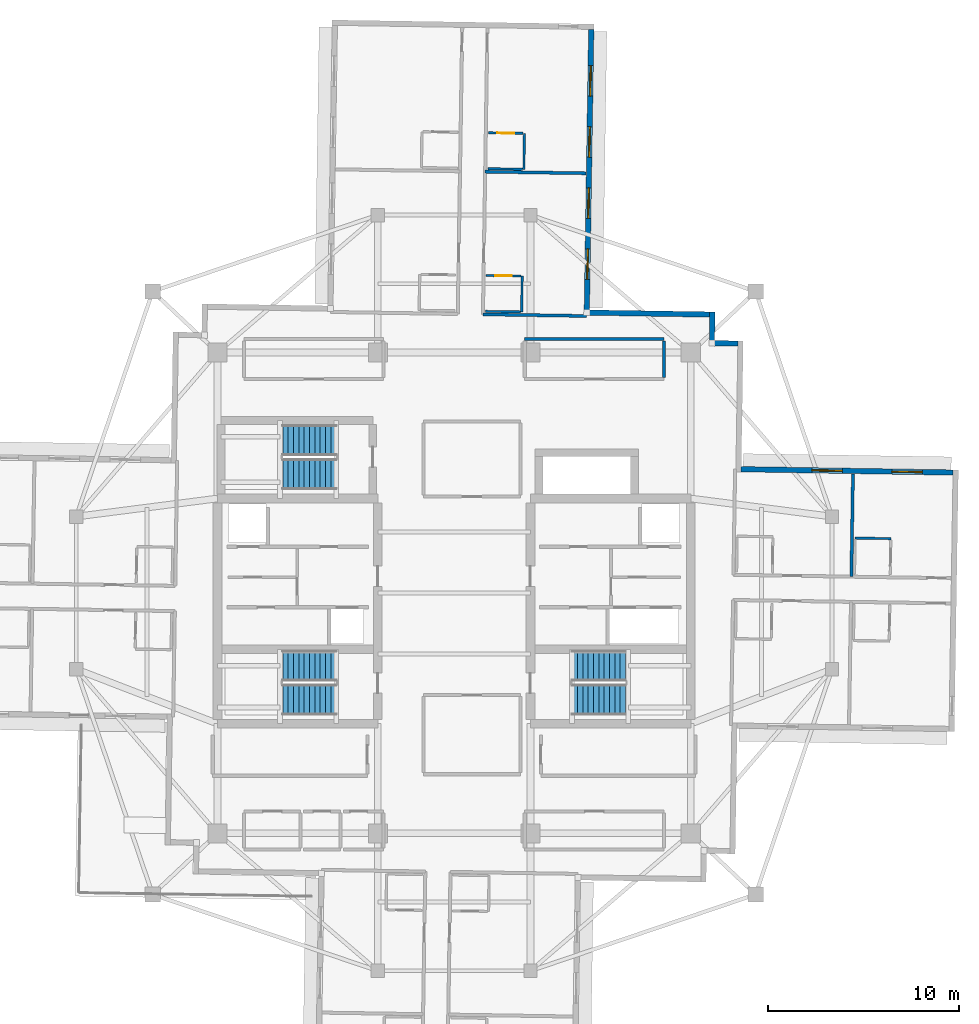
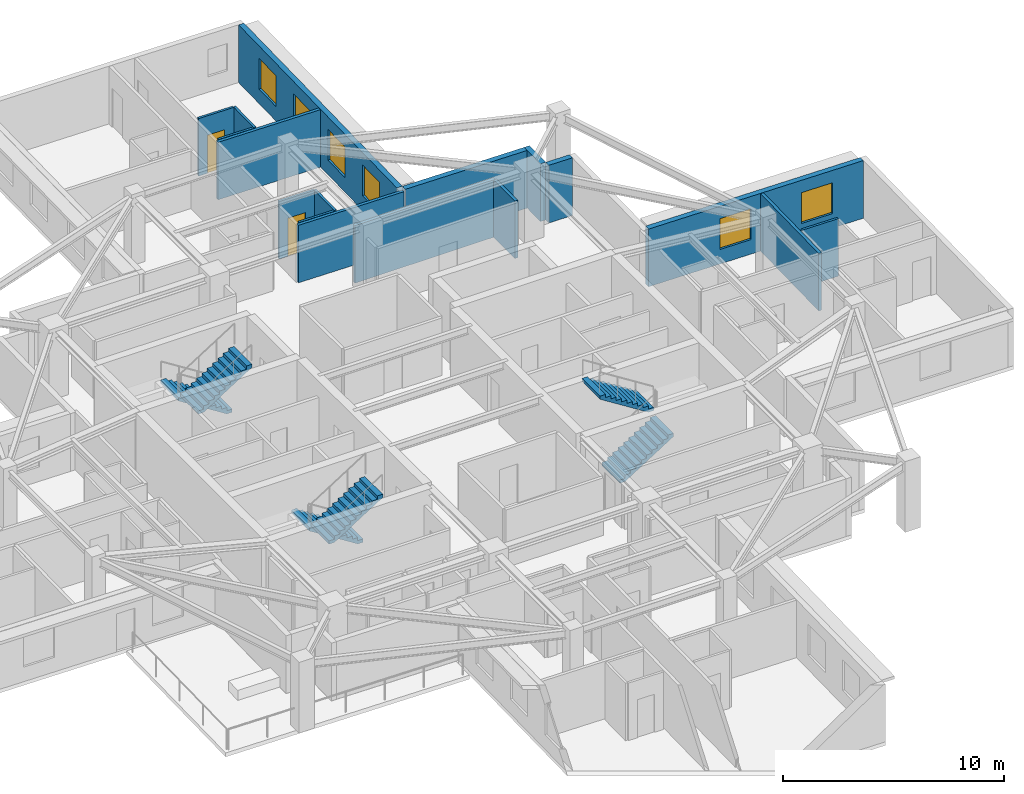
# One storey, part 8 of 12: 17 walls, 6 stair flights, 6 windows, 2 doors, 8 openings, 3 elements without a shape of their own.
"""IFC4 building model written with IfcOpenShell, lengths in metres."""

from ifc_helpers import new_model, si_unit, direction, frame, frame_2d, origin, place, context, subcontext, project, spatial, polyline, rectangle, outline, extrude, material, layer, layer_set, type_object, element, fill, aggregate, save


model = new_model("IFC4")

# Units and contexts
model_context = context("Model", 3, precision=1e-05, world=origin(), true_north=direction((0.0, 1.0)))
body_context = subcontext(model_context, "Body", "Model", "MODEL_VIEW")
ifc_project = project(units=[si_unit("LENGTHUNIT", "METRE"), si_unit("AREAUNIT", "SQUARE_METRE"), si_unit("VOLUMEUNIT", "CUBIC_METRE"), si_unit("PLANEANGLEUNIT", "RADIAN"), si_unit("MASSUNIT", "GRAM", prefix="KILO")], contexts=[model_context])

# Site, building, storey
site_placement = place(None, origin())
site = spatial("IfcSite", under=ifc_project, at=site_placement, CompositionType="ELEMENT")
building_placement = place(site_placement, origin())
building = spatial("IfcBuilding", under=site, at=building_placement, Name="Qingluan Cross Belvedere", CompositionType="ELEMENT")
storey_placement = place(building_placement, frame((0.0, 0.0, 261.60009765625)))
storey = spatial("IfcBuildingStorey", under=building, at=storey_placement, Name="L65", CompositionType="ELEMENT", Elevation=261.60009765625)

# Walls
ifc_material_1 = material(Name="Gypsum plasterboard on steel stud acoustic partition", Category="steel")
ifc_layer_1 = layer(ifc_material_1, 0.159912109375, Name="CorridorPartition_160")
ifc_layer_set_1 = layer_set([ifc_layer_1], Name="Gypsum plasterboard on steel stud acoustic partition")
wall_type_1 = type_object("IfcWallType", Name="CorridorPartition_160", PredefinedType="PARTITIONING", material=ifc_layer_set_1)
wall_1_placement = place(storey_placement, frame((3.699951171875, 13.300048828125, 0.0), z_axis=(0.0, 0.0, 1.0), x_axis=(1.0, 0.0, 0.0)))
element("IfcWall", 1, at=wall_1_placement, inside=storey, type_object=wall_type_1, Name="Partition L65:q_ne:N", PredefinedType="PARTITIONING", context=body_context, shape_type="SweptSolid", body=[
    extrude(rectangle(XDim=7.300048828125, YDim=0.159912109375, at=frame_2d((3.64990234375, 0.0))), origin(), (0.0, 0.0, 1.0), 3.169921875),
])
wall_2_placement = place(storey_placement, frame((11.0, 11.284912109375, 0.0), z_axis=(0.0, 0.0, 1.0), x_axis=(0.0, 1.0, 0.0)))
element("IfcWall", 2, at=wall_2_placement, inside=storey, type_object=wall_type_1, Name="Partition L65:q_ne:E", PredefinedType="PARTITIONING", context=body_context, shape_type="SweptSolid", body=[
    extrude(rectangle(XDim=1.93017578125, YDim=0.159912109375, at=frame_2d((0.965087890625, 0.0))), origin(), (0.0, 0.0, 1.0), 3.169921875),
])
wall_3_placement = place(storey_placement, frame((20.81591796875, 0.85302734375, 0.0), z_axis=(0.0, 0.0, 1.0), x_axis=(0.015711505169, 0.999876566685, 0.0)))
element("IfcWall", 3, at=wall_3_placement, inside=storey, type_object=wall_type_1, Name="Partition L65:E:d0_0", PredefinedType="PARTITIONING", context=body_context, shape_type="SweptSolid", body=[
    extrude(rectangle(XDim=5.39208984375, YDim=0.159912109375, at=frame_2d((2.696044921875, 0.0))), origin(), (0.0, 0.0, 1.0), 3.169921875),
])
wall_4_placement = place(storey_placement, frame((1.509521484375, 14.59814453125, 0.0), z_axis=(0.0, 0.0, 1.0), x_axis=(0.999876622965, -0.015707923068, 0.0)))
element("IfcWall", 4, at=wall_4_placement, inside=storey, type_object=wall_type_1, Name="Partition L65:N:s0", PredefinedType="PARTITIONING", context=body_context, shape_type="SweptSolid", body=[
    extrude(rectangle(XDim=5.43994140625, YDim=0.159912109375, at=frame_2d((2.719970703125, 0.0))), origin(), (0.0, 0.0, 1.0), 3.169921875),
])
wall_5_placement = place(storey_placement, frame((1.626953125, 22.07421875, 0.0), z_axis=(0.0, 0.0, 1.0), x_axis=(0.999876245763, -0.015731915277, 0.0)))
element("IfcWall", 5, at=wall_5_placement, inside=storey, type_object=wall_type_1, Name="Partition L65:N:d0_0", PredefinedType="PARTITIONING", context=body_context, shape_type="SweptSolid", body=[
    extrude(rectangle(XDim=5.2919921875, YDim=0.159912109375, at=frame_2d((2.64599609375, 0.0))), origin(), (0.0, 0.0, 1.0), 3.169921875),
])
ifc_material_2 = material(Name="Moisture-resistant gypsum board lining")
ifc_layer_2 = layer(ifc_material_2, 0.1201171875, Name="EnsuiteWetPartition_120")
ifc_layer_set_2 = layer_set([ifc_layer_2], Name="Moisture-resistant gypsum board lining")
wall_type_2 = type_object("IfcWallType", Name="EnsuiteWetPartition_120", PredefinedType="PARTITIONING", material=ifc_layer_set_2)
wall_6_placement = place(storey_placement, frame((21.0078125, 2.87548828125, 0.0), z_axis=(0.0, 0.0, 1.0), x_axis=(0.999874472394, -0.015844224657, 0.0)))
element("IfcWall", 6, at=wall_6_placement, inside=storey, type_object=wall_type_2, Name="Partition L65:E:bn0_1", PredefinedType="PARTITIONING", context=body_context, shape_type="SweptSolid", body=[
    extrude(rectangle(XDim=1.8798828125, YDim=0.1201171875, at=frame_2d((0.93994140625, 0.0))), origin(), (0.0, 0.0, 1.0), 3.169921875),
])

# Wall, opening, door
wall_7_placement = place(storey_placement, frame((1.681396484375, 16.635498046875, 0.0), z_axis=(0.0, 0.0, 1.0), x_axis=(0.999878932289, -0.015560230231, 0.0)))
wall_7 = element("IfcWall", 7, at=wall_7_placement, inside=storey, type_object=wall_type_2, Name="Partition L65:N:bs0_0", PredefinedType="PARTITIONING", context=body_context, shape_type="SweptSolid", body=[
    extrude(rectangle(XDim=1.820068359375, YDim=0.1201171875, at=frame_2d((0.91015625, 0.0))), origin(), (0.0, 0.0, 1.0), 3.169921875),
])
opening_1_placement = place(wall_7_placement, frame((0.469970703125, 0.0, 0.0)))
opening_1 = element("IfcOpeningElement", 8, at=opening_1_placement, cuts=wall_7, Name="Opening BD-09", PredefinedType="OPENING", context=body_context, shape_type="SweptSolid", body=[
    extrude(rectangle(XDim=0.8798828125, YDim=2.10009765625, at=frame_2d((0.43994140625, 1.050048828125))), frame((0.0, 0.070068359375, 0.0), z_axis=(0.0, -1.0, 0.0), x_axis=(1.0, 0.0, 0.0)), (0.0, 0.0, 1.0), 0.14013671875),
])
ifc_material_3 = material(Name="Moisture-sealed timber en-suite door", Category="wood")
door_type = type_object("IfcDoorType", Name="BathroomDoor_880", OperationType="NOTDEFINED", PredefinedType="DOOR", material=ifc_material_3)
door_1_placement = place(opening_1_placement, origin())
door_1 = element("IfcDoor", 9, at=door_1_placement, inside=storey, type_object=door_type, Name="Bathroom door 6509", OperationType="SINGLE_SWING_LEFT", OverallHeight=2.10009765625, OverallWidth=0.8798828125, PredefinedType="DOOR", context=body_context, shape_type="SweptSolid", body=[
    extrude(rectangle(XDim=0.8798828125, YDim=2.10009765625, at=frame_2d((0.43994140625, 1.050048828125))), frame((0.0, 0.02490234375, 0.0), z_axis=(0.0, -1.0, 0.0), x_axis=(1.0, 0.0, 0.0)), (0.0, 0.0, 1.0), 0.050048828125),
])
fill(opening_1, door_1)

# Walls
wall_8_placement = place(storey_placement, frame((1.652099609375, 14.755859375, 0.0), z_axis=(0.0, 0.0, 1.0), x_axis=(0.999876803258, -0.015696442504, 0.0)))
element("IfcWall", 10, at=wall_8_placement, inside=storey, type_object=wall_type_2, Name="Partition L65:N:bw0_0", PredefinedType="PARTITIONING", context=body_context, shape_type="SweptSolid", body=[
    extrude(rectangle(XDim=1.81982421875, YDim=0.1201171875, at=frame_2d((0.909912109375, 0.0))), origin(), (0.0, 0.0, 1.0), 3.169921875),
])
wall_9_placement = place(storey_placement, frame((3.53662109375, 14.726318359375, 0.0), z_axis=(0.0, 0.0, 1.0), x_axis=(0.015844224657, 0.999874472394, 0.0)))
element("IfcWall", 11, at=wall_9_placement, inside=storey, type_object=wall_type_2, Name="Partition L65:N:bn0_0", PredefinedType="PARTITIONING", context=body_context, shape_type="SweptSolid", body=[
    extrude(rectangle(XDim=1.8798828125, YDim=0.1201171875, at=frame_2d((0.93994140625, 0.0))), origin(), (0.0, 0.0, 1.0), 3.169921875),
])

# Wall, opening, door
wall_10_placement = place(storey_placement, frame((1.799072265625, 24.11181640625, 0.0), z_axis=(0.0, 0.0, 1.0), x_axis=(0.999874688728, -0.015830566654, 0.0)))
wall_10 = element("IfcWall", 12, at=wall_10_placement, inside=storey, type_object=wall_type_2, Name="Partition L65:N:bs0_1", PredefinedType="PARTITIONING", context=body_context, shape_type="SweptSolid", body=[
    extrude(rectangle(XDim=1.81982421875, YDim=0.1201171875, at=frame_2d((0.909912109375, 0.0))), origin(), (0.0, 0.0, 1.0), 3.169921875),
])
opening_2_placement = place(wall_10_placement, frame((0.469970703125, 0.0, 0.0)))
opening_2 = element("IfcOpeningElement", 13, at=opening_2_placement, cuts=wall_10, Name="Opening BD-09", PredefinedType="OPENING", context=body_context, shape_type="SweptSolid", body=[
    extrude(rectangle(XDim=0.8798828125, YDim=2.10009765625, at=frame_2d((0.43994140625, 1.050048828125))), frame((0.0, 0.070068359375, 0.0), z_axis=(0.0, -1.0, 0.0), x_axis=(1.0, 0.0, 0.0)), (0.0, 0.0, 1.0), 0.14013671875),
])
door_2_placement = place(opening_2_placement, origin())
door_2 = element("IfcDoor", 14, at=door_2_placement, inside=storey, type_object=door_type, Name="Bathroom door 6510", OperationType="SINGLE_SWING_LEFT", OverallHeight=2.10009765625, OverallWidth=0.8798828125, PredefinedType="DOOR", context=body_context, shape_type="SweptSolid", body=[
    extrude(rectangle(XDim=0.8798828125, YDim=2.10009765625, at=frame_2d((0.43994140625, 1.050048828125))), frame((0.0, 0.02490234375, 0.0), z_axis=(0.0, -1.0, 0.0), x_axis=(1.0, 0.0, 0.0)), (0.0, 0.0, 1.0), 0.050048828125),
])
fill(opening_2, door_2)

# Walls
wall_11_placement = place(storey_placement, frame((1.769287109375, 22.23193359375, 0.0), z_axis=(0.0, 0.0, 1.0), x_axis=(0.999876836305, -0.015694337248, 0.0)))
element("IfcWall", 15, at=wall_11_placement, inside=storey, type_object=wall_type_2, Name="Partition L65:N:bw0_1", PredefinedType="PARTITIONING", context=body_context, shape_type="SweptSolid", body=[
    extrude(rectangle(XDim=1.820068359375, YDim=0.1201171875, at=frame_2d((0.91015625, 0.0))), origin(), (0.0, 0.0, 1.0), 3.169921875),
])
wall_12_placement = place(storey_placement, frame((3.654296875, 22.202392578125, 0.0), z_axis=(0.0, 0.0, 1.0), x_axis=(0.01558454688, 0.999878553575, 0.0)))
element("IfcWall", 16, at=wall_12_placement, inside=storey, type_object=wall_type_2, Name="Partition L65:N:bn0_1", PredefinedType="PARTITIONING", context=body_context, shape_type="SweptSolid", body=[
    extrude(rectangle(XDim=1.8798828125, YDim=0.1201171875, at=frame_2d((0.93994140625, 0.0))), origin(), (0.0, 0.0, 1.0), 3.169921875),
])

# Wall, openings, windows
ifc_material_4 = material(Name="Precast concrete C45", Category="concrete")
ifc_layer_3 = layer(ifc_material_4, 0.280029296875, Name="PrecastFacadeWall_280")
ifc_layer_set_3 = layer_set([ifc_layer_3], Name="Precast concrete C45")
wall_type_3 = type_object("IfcWallType", Name="PrecastFacadeWall_280", PredefinedType="STANDARD", material=ifc_layer_set_3)
wall_13_placement = place(storey_placement, frame((26.142333984375, 6.310302734375, 0.0), z_axis=(0.0, 0.0, 1.0), x_axis=(-0.999876681786, 0.015704178416, 0.0)))
wall_13 = element("IfcWall", 17, at=wall_13_placement, inside=storey, type_object=wall_type_3, Name="Facade wall L65-EB", PredefinedType="STANDARD", context=body_context, shape_type="SweptSolid", body=[
    extrude(rectangle(XDim=11.10009765625, YDim=0.280029296875, at=frame_2d((5.550048828125, 0.0))), origin(), (0.0, 0.0, 1.0), 3.179931640625),
])
opening_3_placement = place(wall_13_placement, frame((1.60009765625, 0.0, 0.800048828125)))
opening_3 = element("IfcOpeningElement", 18, at=opening_3_placement, cuts=wall_13, Name="Opening W-04", PredefinedType="OPENING", context=body_context, shape_type="SweptSolid", body=[
    extrude(rectangle(XDim=1.60009765625, YDim=1.699951171875, at=frame_2d((0.800048828125, 0.85009765625))), frame((0.0, 0.14990234375, 0.0), z_axis=(0.0, -1.0, 0.0), x_axis=(1.0, 0.0, 0.0)), (0.0, 0.0, 1.0), 0.300048828125),
])
opening_4_placement = place(wall_13_placement, frame((5.800048828125, 0.0, 0.800048828125)))
opening_4 = element("IfcOpeningElement", 19, at=opening_4_placement, cuts=wall_13, Name="Opening W-04", PredefinedType="OPENING", context=body_context, shape_type="SweptSolid", body=[
    extrude(rectangle(XDim=1.60009765625, YDim=1.699951171875, at=frame_2d((0.800048828125, 0.85009765625))), frame((0.0, 0.14990234375, 0.0), z_axis=(0.0, -1.0, 0.0), x_axis=(1.0, 0.0, 0.0)), (0.0, 0.0, 1.0), 0.300048828125),
])
ifc_material_5 = material(Name="Thermally broken triple Low-E glass in aluminium frame", Category="aluminium")
window_type = type_object("IfcWindowType", Name="SuiteCornerWin_1600x1700", PartitioningType="SINGLE_PANEL", PredefinedType="WINDOW", material=ifc_material_5)
window_1_placement = place(opening_3_placement, origin())
window_1 = element("IfcWindow", 20, at=window_1_placement, inside=storey, type_object=window_type, Name="Ribbon window L65-EB-1", OverallHeight=1.699951171875, OverallWidth=1.60009765625, PartitioningType="SINGLE_PANEL", PredefinedType="WINDOW", context=body_context, shape_type="SweptSolid", body=[
    extrude(rectangle(XDim=1.60009765625, YDim=1.699951171875, at=frame_2d((0.800048828125, 0.85009765625))), frame((0.0, 0.030029296875, 0.0), z_axis=(0.0, -1.0, 0.0), x_axis=(1.0, 0.0, 0.0)), (0.0, 0.0, 1.0), 0.06005859375),
])
fill(opening_3, window_1)
window_2_placement = place(opening_4_placement, origin())
window_2 = element("IfcWindow", 21, at=window_2_placement, inside=storey, type_object=window_type, Name="Ribbon window L65-EB-2", OverallHeight=1.699951171875, OverallWidth=1.60009765625, PartitioningType="SINGLE_PANEL", PredefinedType="WINDOW", context=body_context, shape_type="SweptSolid", body=[
    extrude(rectangle(XDim=1.60009765625, YDim=1.699951171875, at=frame_2d((0.800048828125, 0.85009765625))), frame((0.0, 0.030029296875, 0.0), z_axis=(0.0, -1.0, 0.0), x_axis=(1.0, 0.0, 0.0)), (0.0, 0.0, 1.0), 0.06005859375),
])
fill(opening_4, window_2)

wall_14_placement = place(storey_placement, frame((6.953857421875, 14.83251953125, 0.0), z_axis=(0.0, 0.0, 1.0), x_axis=(0.015711302158, 0.999876569875, 0.0)))
wall_14 = element("IfcWall", 22, at=wall_14_placement, inside=storey, type_object=wall_type_3, Name="Facade wall L65-NA", PredefinedType="STANDARD", context=body_context, shape_type="SweptSolid", body=[
    extrude(rectangle(XDim=14.699951171875, YDim=0.280029296875, at=frame_2d((7.35009765625, 0.0))), origin(), (0.0, 0.0, 1.0), 3.179931640625),
])
opening_5_placement = place(wall_14_placement, frame((1.60009765625, 0.0, 0.800048828125)))
opening_5 = element("IfcOpeningElement", 23, at=opening_5_placement, cuts=wall_14, Name="Opening W-04", PredefinedType="OPENING", context=body_context, shape_type="SweptSolid", body=[
    extrude(rectangle(XDim=1.60009765625, YDim=1.699951171875, at=frame_2d((0.800048828125, 0.85009765625))), frame((0.0, 0.14990234375, 0.0), z_axis=(0.0, -1.0, 0.0), x_axis=(1.0, 0.0, 0.0)), (0.0, 0.0, 1.0), 0.300048828125),
])
opening_6_placement = place(wall_14_placement, frame((4.800048828125, 0.0, 0.800048828125)))
opening_6 = element("IfcOpeningElement", 24, at=opening_6_placement, cuts=wall_14, Name="Opening W-04", PredefinedType="OPENING", context=body_context, shape_type="SweptSolid", body=[
    extrude(rectangle(XDim=1.60009765625, YDim=1.699951171875, at=frame_2d((0.800048828125, 0.85009765625))), frame((0.0, 0.14990234375, 0.0), z_axis=(0.0, -1.0, 0.0), x_axis=(1.0, 0.0, 0.0)), (0.0, 0.0, 1.0), 0.300048828125),
])
opening_7_placement = place(wall_14_placement, frame((8.0, 0.0, 0.800048828125)))
opening_7 = element("IfcOpeningElement", 25, at=opening_7_placement, cuts=wall_14, Name="Opening W-04", PredefinedType="OPENING", context=body_context, shape_type="SweptSolid", body=[
    extrude(rectangle(XDim=1.60009765625, YDim=1.699951171875, at=frame_2d((0.800048828125, 0.85009765625))), frame((0.0, 0.14990234375, 0.0), z_axis=(0.0, -1.0, 0.0), x_axis=(1.0, 0.0, 0.0)), (0.0, 0.0, 1.0), 0.300048828125),
])
opening_8_placement = place(wall_14_placement, frame((11.199951171875, 0.0, 0.800048828125)))
opening_8 = element("IfcOpeningElement", 26, at=opening_8_placement, cuts=wall_14, Name="Opening W-04", PredefinedType="OPENING", context=body_context, shape_type="SweptSolid", body=[
    extrude(rectangle(XDim=1.60009765625, YDim=1.699951171875, at=frame_2d((0.800048828125, 0.85009765625))), frame((0.0, 0.14990234375, 0.0), z_axis=(0.0, -1.0, 0.0), x_axis=(1.0, 0.0, 0.0)), (0.0, 0.0, 1.0), 0.300048828125),
])
window_3_placement = place(opening_5_placement, origin())
window_3 = element("IfcWindow", 27, at=window_3_placement, inside=storey, type_object=window_type, Name="Ribbon window L65-NA-1", OverallHeight=1.699951171875, OverallWidth=1.60009765625, PartitioningType="SINGLE_PANEL", PredefinedType="WINDOW", context=body_context, shape_type="SweptSolid", body=[
    extrude(rectangle(XDim=1.60009765625, YDim=1.699951171875, at=frame_2d((0.800048828125, 0.85009765625))), frame((0.0, 0.030029296875, 0.0), z_axis=(0.0, -1.0, 0.0), x_axis=(1.0, 0.0, 0.0)), (0.0, 0.0, 1.0), 0.06005859375),
])
fill(opening_5, window_3)
window_4_placement = place(opening_6_placement, origin())
window_4 = element("IfcWindow", 28, at=window_4_placement, inside=storey, type_object=window_type, Name="Ribbon window L65-NA-2", OverallHeight=1.699951171875, OverallWidth=1.60009765625, PartitioningType="SINGLE_PANEL", PredefinedType="WINDOW", context=body_context, shape_type="SweptSolid", body=[
    extrude(rectangle(XDim=1.60009765625, YDim=1.699951171875, at=frame_2d((0.800048828125, 0.85009765625))), frame((0.0, 0.030029296875, 0.0), z_axis=(0.0, -1.0, 0.0), x_axis=(1.0, 0.0, 0.0)), (0.0, 0.0, 1.0), 0.06005859375),
])
fill(opening_6, window_4)
window_5_placement = place(opening_7_placement, origin())
window_5 = element("IfcWindow", 29, at=window_5_placement, inside=storey, type_object=window_type, Name="Ribbon window L65-NA-3", OverallHeight=1.699951171875, OverallWidth=1.60009765625, PartitioningType="SINGLE_PANEL", PredefinedType="WINDOW", context=body_context, shape_type="SweptSolid", body=[
    extrude(rectangle(XDim=1.60009765625, YDim=1.699951171875, at=frame_2d((0.800048828125, 0.85009765625))), frame((0.0, 0.030029296875, 0.0), z_axis=(0.0, -1.0, 0.0), x_axis=(1.0, 0.0, 0.0)), (0.0, 0.0, 1.0), 0.06005859375),
])
fill(opening_7, window_5)
window_6_placement = place(opening_8_placement, origin())
window_6 = element("IfcWindow", 30, at=window_6_placement, inside=storey, type_object=window_type, Name="Ribbon window L65-NA-4", OverallHeight=1.699951171875, OverallWidth=1.60009765625, PartitioningType="SINGLE_PANEL", PredefinedType="WINDOW", context=body_context, shape_type="SweptSolid", body=[
    extrude(rectangle(XDim=1.60009765625, YDim=1.699951171875, at=frame_2d((0.800048828125, 0.85009765625))), frame((0.0, 0.030029296875, 0.0), z_axis=(0.0, -1.0, 0.0), x_axis=(1.0, 0.0, 0.0)), (0.0, 0.0, 1.0), 0.06005859375),
])
fill(opening_8, window_6)

# Walls
wall_15_placement = place(storey_placement, frame((14.8671875, 13.068115234375, 0.0), z_axis=(0.0, 0.0, 1.0), x_axis=(-0.999875053502, 0.015807510352, 0.0)))
element("IfcWall", 31, at=wall_15_placement, inside=storey, type_object=wall_type_3, Name="Corner wall L65-NE2", PredefinedType="STANDARD", context=body_context, shape_type="SweptSolid", body=[
    extrude(rectangle(XDim=1.22021484375, YDim=0.280029296875, at=frame_2d((0.610107421875, 0.0))), origin(), (0.0, 0.0, 1.0), 3.179931640625),
])
wall_16_placement = place(storey_placement, frame((13.509521484375, 13.2294921875, 0.0), z_axis=(0.0, 0.0, 1.0), x_axis=(0.015625635615, 0.999877912303, 0.0)))
element("IfcWall", 32, at=wall_16_placement, inside=storey, type_object=wall_type_3, Name="Corner wall L65-NE3", PredefinedType="STANDARD", context=body_context, shape_type="SweptSolid", body=[
    extrude(rectangle(XDim=1.5, YDim=0.280029296875, at=frame_2d((0.75, 0.0))), origin(), (0.0, 0.0, 1.0), 3.179931640625),
])
wall_17_placement = place(storey_placement, frame((13.390869140625, 14.591552734375, 0.0), z_axis=(0.0, 0.0, 1.0), x_axis=(-0.999876833368, 0.015694524359, 0.0)))
element("IfcWall", 33, at=wall_17_placement, inside=storey, type_object=wall_type_3, Name="Corner wall L65-NE4", PredefinedType="STANDARD", context=body_context, shape_type="SweptSolid", body=[
    extrude(rectangle(XDim=6.300048828125, YDim=0.280029296875, at=frame_2d((3.14990234375, 0.0))), origin(), (0.0, 0.0, 1.0), 3.179931640625),
])

# Stair, stair flights
ifc_material_6 = material(Name="Concrete C40", Category="concrete")
stair_type = type_object("IfcStairType", Name="CoreDoglegStair_1620", PredefinedType="HALF_TURN_STAIR", material=ifc_material_6)
stair_1_placement = place(storey_placement, origin())
stair_1 = element("IfcStair", 34, at=stair_1_placement, inside=storey, type_object=stair_type, Name="L65 ST1", PredefinedType="HALF_TURN_STAIR")
ifc_material_7 = material(Name="Concrete C40", Category="concrete")
ifc_layer_4 = layer(ifc_material_7, 0.179931640625, Name="StairFlight_RC180")
ifc_layer_set_4 = layer_set([ifc_layer_4], Name="Concrete C40")
stair_flight_type = type_object("IfcStairFlightType", Name="StairFlight_RC180", PredefinedType="STRAIGHT", material=ifc_layer_set_4)
stair_flight_1_placement = place(storey_placement, frame((-6.179931640625, -3.81005859375, 0.0), z_axis=(0.0, 0.0, 1.0), x_axis=(-1.0, 0.0, 0.0)))
stair_flight_1 = element("IfcStairFlight", 35, at=stair_flight_1_placement, type_object=stair_flight_type, Name="ST1 flight 1", NumberOfRisers=11, NumberOfTreads=10, PredefinedType="STRAIGHT", RiserHeight=0.177272727, TreadLength=0.28, context=body_context, shape_type="SweptSolid", body=[
    extrude(outline(polyline([(0.0, 0.0), (0.0, 0.17724609375), (0.280029296875, 0.17724609375), (0.280029296875, 0.3544921875), (0.56005859375, 0.3544921875), (0.56005859375, 0.53173828125), (0.840087890625, 0.53173828125), (0.840087890625, 0.708984375), (1.1201171875, 0.708984375), (1.1201171875, 0.886474609375), (1.39990234375, 0.886474609375), (1.39990234375, 1.063720703125), (1.679931640625, 1.063720703125), (1.679931640625, 1.240966796875), (1.9599609375, 1.240966796875), (1.9599609375, 1.418212890625), (2.239990234375, 1.418212890625), (2.239990234375, 1.595458984375), (2.52001953125, 1.595458984375), (2.52001953125, 1.772705078125), (2.800048828125, 1.772705078125), (2.800048828125, 1.949951171875), (2.800048828125, 1.59521484375), (0.2802734375, 0.0), (0.0, 0.0)])), frame((0.0, 0.81005859375, 0.0), z_axis=(0.0, -1.0, 0.0), x_axis=(1.0, 0.0, 0.0)), (0.0, 0.0, 1.0), 1.6201171875),
])
stair_flight_2_placement = place(storey_placement, frame((-8.97998046875, -5.590087890625, 1.949951171875), z_axis=(0.0, 0.0, 1.0), x_axis=(1.0, 0.0, 0.0)))
stair_flight_2 = element("IfcStairFlight", 36, at=stair_flight_2_placement, type_object=stair_flight_type, Name="ST1 flight 2", NumberOfRisers=11, NumberOfTreads=10, PredefinedType="STRAIGHT", RiserHeight=0.177272727, TreadLength=0.28, context=body_context, shape_type="SweptSolid", body=[
    extrude(outline(polyline([(0.0, 0.0), (0.0, 0.17724609375), (0.280029296875, 0.17724609375), (0.280029296875, 0.3544921875), (0.56005859375, 0.3544921875), (0.56005859375, 0.53173828125), (0.840087890625, 0.53173828125), (0.840087890625, 0.708984375), (1.1201171875, 0.708984375), (1.1201171875, 0.886474609375), (1.39990234375, 0.886474609375), (1.39990234375, 1.063720703125), (1.679931640625, 1.063720703125), (1.679931640625, 1.240966796875), (1.9599609375, 1.240966796875), (1.9599609375, 1.418212890625), (2.239990234375, 1.418212890625), (2.239990234375, 1.595458984375), (2.52001953125, 1.595458984375), (2.52001953125, 1.772705078125), (2.800048828125, 1.772705078125), (2.800048828125, 1.949951171875), (2.800048828125, 1.59521484375), (0.2802734375, 0.0), (0.0, 0.0)])), frame((0.0, 0.81005859375, 0.0), z_axis=(0.0, -1.0, 0.0), x_axis=(1.0, 0.0, 0.0)), (0.0, 0.0, 1.0), 1.6201171875),
])
aggregate(stair_1, [stair_flight_1, stair_flight_2])

stair_2_placement = place(storey_placement, origin())
stair_2 = element("IfcStair", 37, at=stair_2_placement, inside=storey, type_object=stair_type, Name="L65 ST2", PredefinedType="HALF_TURN_STAIR")
stair_flight_3_placement = place(storey_placement, frame((6.179931640625, -5.590087890625, 0.0), z_axis=(0.0, 0.0, 1.0), x_axis=(1.0, 0.0, 0.0)))
stair_flight_3 = element("IfcStairFlight", 38, at=stair_flight_3_placement, type_object=stair_flight_type, Name="ST2 flight 1", NumberOfRisers=11, NumberOfTreads=10, PredefinedType="STRAIGHT", RiserHeight=0.177272727, TreadLength=0.28, context=body_context, shape_type="SweptSolid", body=[
    extrude(outline(polyline([(0.0, 0.0), (0.0, 0.17724609375), (0.280029296875, 0.17724609375), (0.280029296875, 0.3544921875), (0.56005859375, 0.3544921875), (0.56005859375, 0.53173828125), (0.840087890625, 0.53173828125), (0.840087890625, 0.708984375), (1.1201171875, 0.708984375), (1.1201171875, 0.886474609375), (1.39990234375, 0.886474609375), (1.39990234375, 1.063720703125), (1.679931640625, 1.063720703125), (1.679931640625, 1.240966796875), (1.9599609375, 1.240966796875), (1.9599609375, 1.418212890625), (2.239990234375, 1.418212890625), (2.239990234375, 1.595458984375), (2.52001953125, 1.595458984375), (2.52001953125, 1.772705078125), (2.800048828125, 1.772705078125), (2.800048828125, 1.949951171875), (2.800048828125, 1.59521484375), (0.2802734375, 0.0), (0.0, 0.0)])), frame((0.0, 0.81005859375, 0.0), z_axis=(0.0, -1.0, 0.0), x_axis=(1.0, 0.0, 0.0)), (0.0, 0.0, 1.0), 1.6201171875),
])
stair_flight_4_placement = place(storey_placement, frame((8.97998046875, -3.81005859375, 1.949951171875), z_axis=(0.0, 0.0, 1.0), x_axis=(-1.0, 0.0, 0.0)))
stair_flight_4 = element("IfcStairFlight", 39, at=stair_flight_4_placement, type_object=stair_flight_type, Name="ST2 flight 2", NumberOfRisers=11, NumberOfTreads=10, PredefinedType="STRAIGHT", RiserHeight=0.177272727, TreadLength=0.28, context=body_context, shape_type="SweptSolid", body=[
    extrude(outline(polyline([(0.0, 0.0), (0.0, 0.17724609375), (0.280029296875, 0.17724609375), (0.280029296875, 0.3544921875), (0.56005859375, 0.3544921875), (0.56005859375, 0.53173828125), (0.840087890625, 0.53173828125), (0.840087890625, 0.708984375), (1.1201171875, 0.708984375), (1.1201171875, 0.886474609375), (1.39990234375, 0.886474609375), (1.39990234375, 1.063720703125), (1.679931640625, 1.063720703125), (1.679931640625, 1.240966796875), (1.9599609375, 1.240966796875), (1.9599609375, 1.418212890625), (2.239990234375, 1.418212890625), (2.239990234375, 1.595458984375), (2.52001953125, 1.595458984375), (2.52001953125, 1.772705078125), (2.800048828125, 1.772705078125), (2.800048828125, 1.949951171875), (2.800048828125, 1.59521484375), (0.2802734375, 0.0), (0.0, 0.0)])), frame((0.0, 0.81005859375, 0.0), z_axis=(0.0, -1.0, 0.0), x_axis=(1.0, 0.0, 0.0)), (0.0, 0.0, 1.0), 1.6201171875),
])
aggregate(stair_2, [stair_flight_3, stair_flight_4])

stair_3_placement = place(storey_placement, origin())
stair_3 = element("IfcStair", 40, at=stair_3_placement, inside=storey, type_object=stair_type, Name="L65 ST3", PredefinedType="HALF_TURN_STAIR")
stair_flight_5_placement = place(storey_placement, frame((-6.179931640625, 8.010009765625, 0.0), z_axis=(0.0, 0.0, 1.0), x_axis=(-1.0, 0.0, 0.0)))
stair_flight_5 = element("IfcStairFlight", 41, at=stair_flight_5_placement, type_object=stair_flight_type, Name="ST3 flight 1", NumberOfRisers=11, NumberOfTreads=10, PredefinedType="STRAIGHT", RiserHeight=0.177272727, TreadLength=0.28, context=body_context, shape_type="SweptSolid", body=[
    extrude(outline(polyline([(0.0, 0.0), (0.0, 0.17724609375), (0.280029296875, 0.17724609375), (0.280029296875, 0.3544921875), (0.56005859375, 0.3544921875), (0.56005859375, 0.53173828125), (0.840087890625, 0.53173828125), (0.840087890625, 0.708984375), (1.1201171875, 0.708984375), (1.1201171875, 0.886474609375), (1.39990234375, 0.886474609375), (1.39990234375, 1.063720703125), (1.679931640625, 1.063720703125), (1.679931640625, 1.240966796875), (1.9599609375, 1.240966796875), (1.9599609375, 1.418212890625), (2.239990234375, 1.418212890625), (2.239990234375, 1.595458984375), (2.52001953125, 1.595458984375), (2.52001953125, 1.772705078125), (2.800048828125, 1.772705078125), (2.800048828125, 1.949951171875), (2.800048828125, 1.59521484375), (0.2802734375, 0.0), (0.0, 0.0)])), frame((0.0, 0.81005859375, 0.0), z_axis=(0.0, -1.0, 0.0), x_axis=(1.0, 0.0, 0.0)), (0.0, 0.0, 1.0), 1.6201171875),
])
stair_flight_6_placement = place(storey_placement, frame((-8.97998046875, 6.22998046875, 1.949951171875), z_axis=(0.0, 0.0, 1.0), x_axis=(1.0, 0.0, 0.0)))
stair_flight_6 = element("IfcStairFlight", 42, at=stair_flight_6_placement, type_object=stair_flight_type, Name="ST3 flight 2", NumberOfRisers=11, NumberOfTreads=10, PredefinedType="STRAIGHT", RiserHeight=0.177272727, TreadLength=0.28, context=body_context, shape_type="SweptSolid", body=[
    extrude(outline(polyline([(0.0, 0.0), (0.0, 0.17724609375), (0.280029296875, 0.17724609375), (0.280029296875, 0.3544921875), (0.56005859375, 0.3544921875), (0.56005859375, 0.53173828125), (0.840087890625, 0.53173828125), (0.840087890625, 0.708984375), (1.1201171875, 0.708984375), (1.1201171875, 0.886474609375), (1.39990234375, 0.886474609375), (1.39990234375, 1.063720703125), (1.679931640625, 1.063720703125), (1.679931640625, 1.240966796875), (1.9599609375, 1.240966796875), (1.9599609375, 1.418212890625), (2.239990234375, 1.418212890625), (2.239990234375, 1.595458984375), (2.52001953125, 1.595458984375), (2.52001953125, 1.772705078125), (2.800048828125, 1.772705078125), (2.800048828125, 1.949951171875), (2.800048828125, 1.59521484375), (0.2802734375, 0.0), (0.0, 0.0)])), frame((0.0, 0.81005859375, 0.0), z_axis=(0.0, -1.0, 0.0), x_axis=(1.0, 0.0, 0.0)), (0.0, 0.0, 1.0), 1.6201171875),
])
aggregate(stair_3, [stair_flight_5, stair_flight_6])

save(model, "model.ifc")
